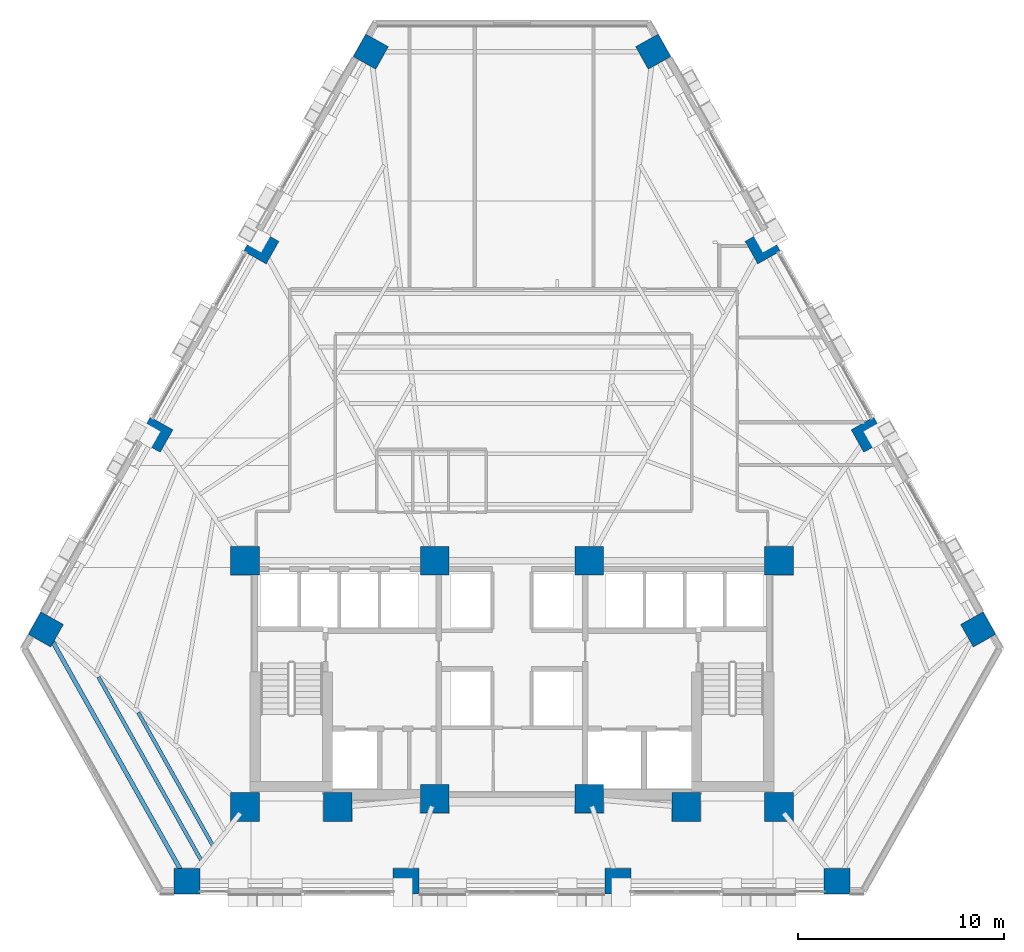
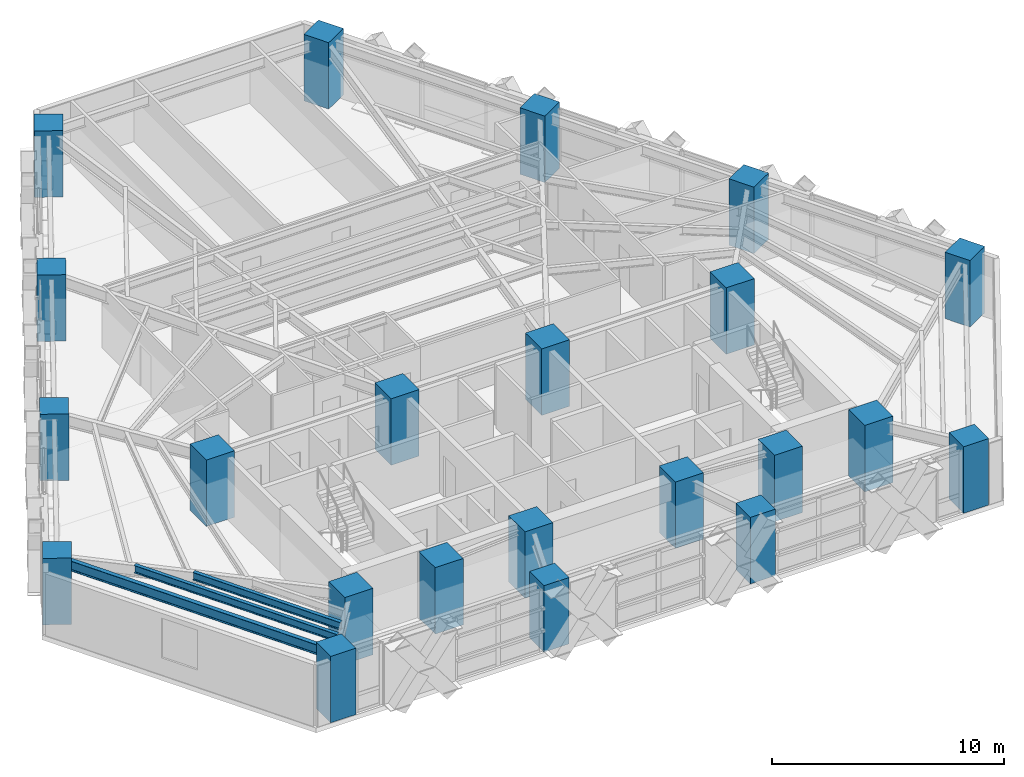
# One storey, part 1 of 13: 22 columns, 3 beams.
"""IFC4 building model written with IfcOpenShell, lengths in metres."""

from ifc_helpers import new_model, si_unit, direction, frame, origin, origin_2d, place, context, subcontext, project, spatial, rectangle, i_section, extrude, material, material_profile, profile_set, type_object, element, save


model = new_model("IFC4")

# Units and contexts
model_context = context("Model", 3, precision=1e-05, world=origin(), true_north=direction((0.0, 1.0)))
body_context = subcontext(model_context, "Body", "Model", "MODEL_VIEW")
ifc_project = project(units=[si_unit("LENGTHUNIT", "METRE"), si_unit("AREAUNIT", "SQUARE_METRE"), si_unit("VOLUMEUNIT", "CUBIC_METRE"), si_unit("PLANEANGLEUNIT", "RADIAN"), si_unit("MASSUNIT", "GRAM", prefix="KILO")], contexts=[model_context])

# Site, building, storey
site_placement = place(None, origin())
site = spatial("IfcSite", under=ifc_project, at=site_placement, CompositionType="ELEMENT")
building_placement = place(site_placement, origin())
building = spatial("IfcBuilding", under=site, at=building_placement, Name="Quenlor Broadcast Tower", CompositionType="ELEMENT")
storey_placement = place(building_placement, frame((0.0, 0.0, 31.10009765625)))
storey = spatial("IfcBuildingStorey", under=building, at=storey_placement, Name="L07", CompositionType="ELEMENT", Elevation=31.10009765625)

# Columns
ifc_material_1 = material(Name="Concrete C65/80", Category="concrete")
ifc_material_profile_1 = material_profile(ifc_material_1, rectangle(XDim=1.39990234375, YDim=1.39990234375, at=origin_2d()))
ifc_profile_set_1 = profile_set([ifc_material_profile_1], Name="Concrete C65/80 RC1400x1400")
column_type_1 = type_object("IfcColumnType", Name="Core Corner Column Lower Concrete C65/80 1400", PredefinedType="COLUMN", material=ifc_profile_set_1)
for number, where, z_axis, x_axis, name in (
    (1, (-12.949951171875, -16.75, 0.0), (0.0, 0.0, 1.0), (1.0, 0.0, 0.0), "L07 Core Column CC1"),
    (2, (-8.449951171875, -16.75, 0.0), (0.0, 0.0, 1.0), (1.0, 0.0, 0.0), "L07 Core Column CC2"),
    (3, (-3.75, -16.35009765625, 0.0), (0.0, 0.0, 1.0), (1.0, 0.0, 0.0), "L07 Core Column CC3"),
    (4, (3.75, -16.35009765625, 0.0), (0.0, 0.0, 1.0), (1.0, 0.0, 0.0), "L07 Core Column CC4"),
    (5, (8.449951171875, -16.75, 0.0), (0.0, 0.0, 1.0), (1.0, 0.0, 0.0), "L07 Core Column CC5"),
    (6, (12.949951171875, -16.75, 0.0), (0.0, 0.0, 1.0), (1.0, 0.0, 0.0), "L07 Core Column CC6"),
    (7, (-12.949951171875, -4.800048828125, 0.0), (0.0, 0.0, 1.0), (1.0, 0.0, 0.0), "L07 Core Column CC7"),
    (8, (-3.75, -4.800048828125, 0.0), (0.0, 0.0, 1.0), (1.0, 0.0, 0.0), "L07 Core Column CC8"),
    (9, (3.75, -4.800048828125, 0.0), (0.0, 0.0, 1.0), (1.0, 0.0, 0.0), "L07 Core Column CC9"),
    (10, (12.949951171875, -4.800048828125, 0.0), (0.0, 0.0, 1.0), (1.0, 0.0, 0.0), "L07 Core Column CC10"),
):
    element("IfcColumn", number, at=place(storey_placement, frame(where, z_axis=z_axis, x_axis=x_axis)), inside=storey, type_object=column_type_1, Name=name, PredefinedType="COLUMN", context=body_context, shape_type="SweptSolid", body=[
        extrude(rectangle(XDim=1.39990234375, YDim=1.39990234375, at=origin_2d()), origin(), (0.0, 0.0, 1.0), 3.5),
    ])
ifc_material_2 = material(Name="Concrete C65/80", Category="concrete")
ifc_material_profile_2 = material_profile(ifc_material_2, rectangle(XDim=1.25, YDim=1.25, at=origin_2d()))
ifc_profile_set_2 = profile_set([ifc_material_profile_2], Name="Concrete C65/80 RC1250x1250")
column_type_2 = type_object("IfcColumnType", Name="Tower Perimeter Column Z1 Concrete C65/80 1250", PredefinedType="COLUMN", material=ifc_profile_set_2)
for number, where, z_axis, x_axis, name in (
    (11, (-15.76513671875, -20.35009765625, 0.0), (0.0, 0.0, 1.0), (0.0, 1.0, 0.0), "L07 Perimeter Column S1"),
    (12, (-5.140869140625, -20.35009765625, 0.0), (0.0, 0.0, 1.0), (0.0, 1.0, 0.0), "L07 Perimeter Column S2"),
    (13, (5.140869140625, -20.35009765625, 0.0), (0.0, 0.0, 1.0), (0.0, 1.0, 0.0), "L07 Perimeter Column S3"),
    (14, (15.76513671875, -20.35009765625, 0.0), (0.0, 0.0, 1.0), (0.0, 1.0, 0.0), "L07 Perimeter Column S4"),
    (15, (22.6162109375, -8.132080078125, 0.0), (0.0, 0.0, 1.0), (0.871575139605, 0.490261946333, 0.0), "L07 Perimeter Column NE1"),
    (16, (17.303955078125, 1.311767578125, 0.0), (0.0, 0.0, 1.0), (0.871575139605, 0.490261946333, 0.0), "L07 Perimeter Column NE2"),
    (17, (12.1630859375, 10.450927734375, 0.0), (0.0, 0.0, 1.0), (0.871575139605, 0.490261946333, 0.0), "L07 Perimeter Column NE3"),
    (18, (6.850830078125, 19.894775390625, 0.0), (0.0, 0.0, 1.0), (0.871575139605, 0.490261946333, 0.0), "L07 Perimeter Column NE4"),
    (19, (-6.850830078125, 19.894775390625, 0.0), (0.0, 0.0, 1.0), (-0.871575139605, 0.490261946333, 0.0), "L07 Perimeter Column NW1"),
    (20, (-12.1630859375, 10.450927734375, 0.0), (0.0, 0.0, 1.0), (-0.871575139605, 0.490261946333, 0.0), "L07 Perimeter Column NW2"),
    (21, (-17.303955078125, 1.311767578125, 0.0), (0.0, 0.0, 1.0), (-0.871575139605, 0.490261946333, 0.0), "L07 Perimeter Column NW3"),
    (22, (-22.6162109375, -8.132080078125, 0.0), (0.0, 0.0, 1.0), (-0.871575139605, 0.490261946333, 0.0), "L07 Perimeter Column NW4"),
):
    element("IfcColumn", number, at=place(storey_placement, frame(where, z_axis=z_axis, x_axis=x_axis)), inside=storey, type_object=column_type_2, Name=name, PredefinedType="COLUMN", context=body_context, shape_type="SweptSolid", body=[
        extrude(rectangle(XDim=1.25, YDim=1.25, at=origin_2d()), origin(), (0.0, 0.0, 1.0), 3.5),
    ])

# Beams
ifc_material_3 = material(Name="Steel S355", Category="steel")
ifc_material_profile_3 = material_profile(ifc_material_3, i_section(OverallWidth=0.208984375, OverallDepth=0.532958984375, WebThickness=0.01025390625, FlangeThickness=0.015625, FilletRadius=0.013916015625, at=origin_2d()))
ifc_profile_set_3 = profile_set([ifc_material_profile_3], Name="Steel S355 530UB92.4")
beam_type_1 = type_object("IfcBeamType", Name="Perimeter Spandrel Beam Z1 Steel S355 530UB92.4", PredefinedType="SPANDREL", material=ifc_profile_set_3)
beam_1_placement = place(storey_placement, frame((-22.41552734375, -8.48974609375, 2.9833984375), z_axis=(0.489090917871, -0.87223280955, 0.0), x_axis=(0.87223280955, 0.489090917871, 0.0)))
element("IfcBeam", 23, at=beam_1_placement, inside=storey, type_object=beam_type_1, Name="L07 Spandrel Beam NW4-S1", PredefinedType="SPANDREL", context=body_context, shape_type="SweptSolid", body=[
    extrude(i_section(OverallWidth=0.208984375, OverallDepth=0.532958984375, WebThickness=0.01025390625, FlangeThickness=0.015625, FilletRadius=0.013916015625, at=origin_2d()), origin(), (0.0, 0.0, 1.0), 13.187744140625),
])
ifc_material_4 = material(Name="Steel S355", Category="steel")
ifc_material_profile_4 = material_profile(ifc_material_4, i_section(OverallWidth=0.177978515625, OverallDepth=0.406494140625, WebThickness=0.0078125, FlangeThickness=0.0126953125, FilletRadius=0.011474609375, at=origin_2d()))
ifc_profile_set_4 = profile_set([ifc_material_profile_4], Name="Steel S355 410UB59.7")
beam_type_2 = type_object("IfcBeamType", Name="Tower Composite Joist Z1 Steel S355 410UB59.7", PredefinedType="JOIST", material=ifc_profile_set_4)
beam_2_placement = place(storey_placement, frame((-14.50927734375, -18.624267578125, 3.046630859375), z_axis=(-0.489088249322, 0.872234305892, 0.0), x_axis=(-0.872234305892, -0.489088249322, 0.0)))
element("IfcBeam", 24, at=beam_2_placement, inside=storey, type_object=beam_type_2, Name="L07 Secondary Composite Joist 20", PredefinedType="JOIST", context=body_context, shape_type="SweptSolid", body=[
    extrude(i_section(OverallWidth=0.177978515625, OverallDepth=0.406494140625, WebThickness=0.0078125, FlangeThickness=0.0126953125, FilletRadius=0.011474609375, at=origin_2d()), origin(), (0.0, 0.0, 1.0), 7.404296875),
])
beam_3_placement = place(storey_placement, frame((-15.072265625, -19.34423828125, 3.046630859375), z_axis=(-0.489081877778, 0.872237878579, 0.0), x_axis=(-0.872237878579, -0.489081877778, 0.0)))
element("IfcBeam", 25, at=beam_3_placement, inside=storey, type_object=beam_type_2, Name="L07 Secondary Composite Joist 21", PredefinedType="JOIST", context=body_context, shape_type="SweptSolid", body=[
    extrude(i_section(OverallWidth=0.177978515625, OverallDepth=0.406494140625, WebThickness=0.0078125, FlangeThickness=0.0126953125, FilletRadius=0.011474609375, at=origin_2d()), origin(), (0.0, 0.0, 1.0), 10.205810546875),
])

save(model, "model.ifc")
